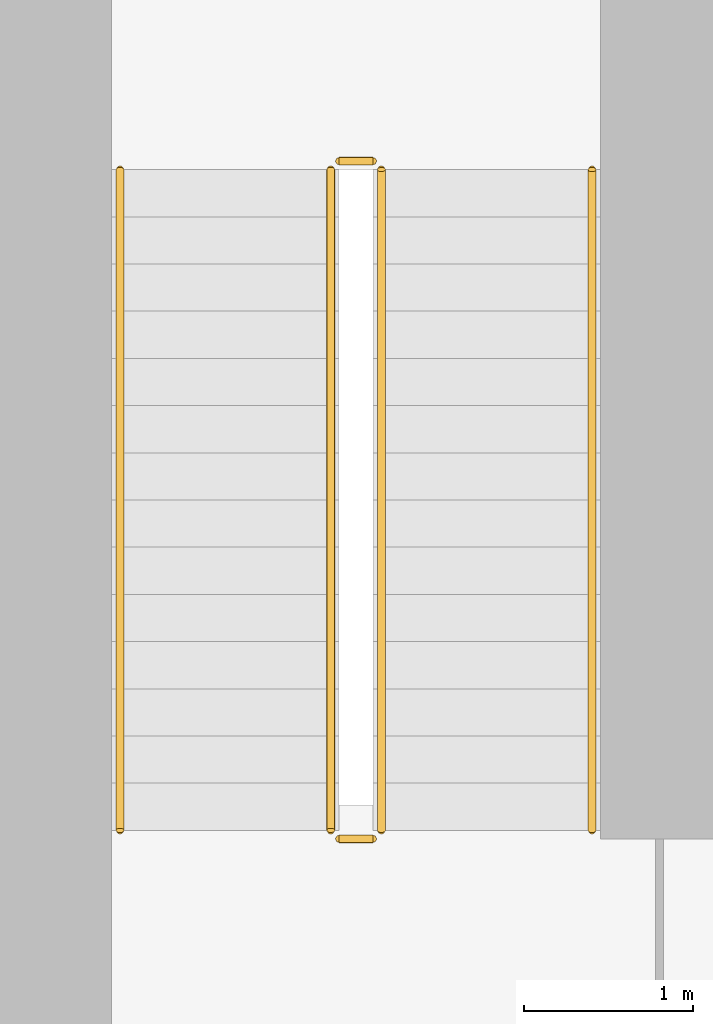
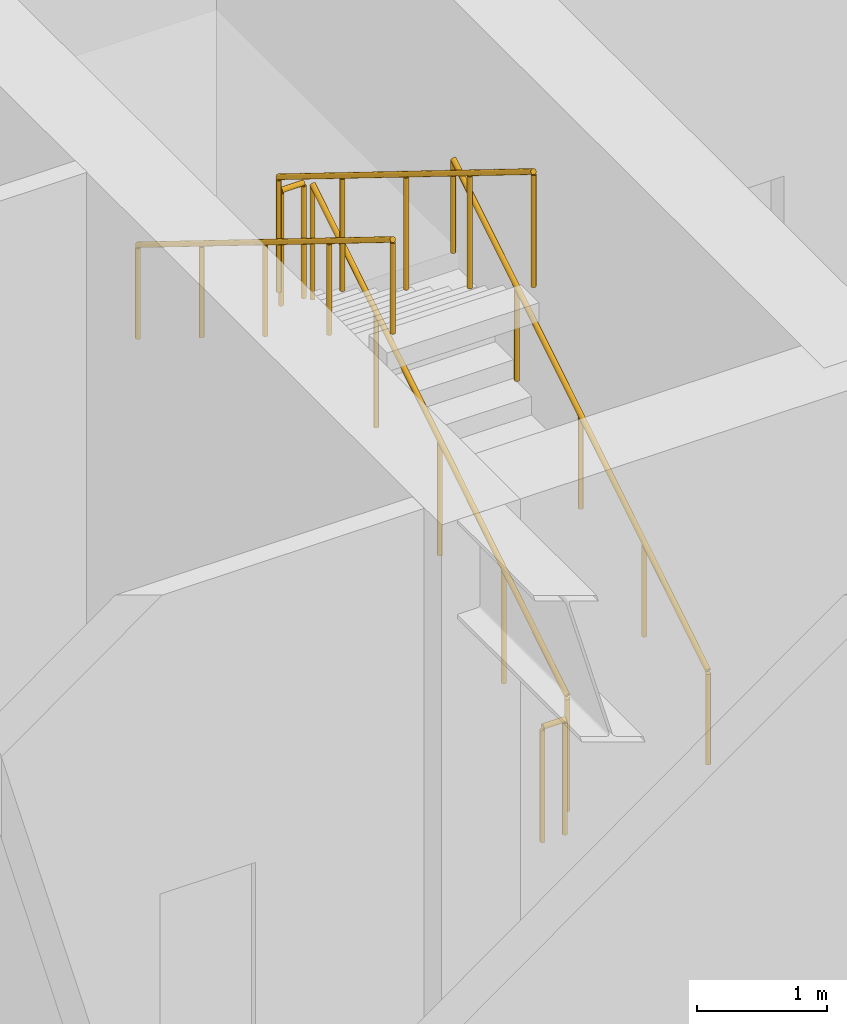
# One storey, part 10 of 12: 6 railings.
"""IFC4 building model written with IfcOpenShell, lengths in metres."""

import ifcopenshell
import ifcopenshell.guid

model = None  # the IFC model being written
_history = None  # IfcOwnerHistory: only IFC2X3 demands one
_inside = {}  # id of a spatial element -> (the spatial element, [elements in it])
_under = {}  # id of a project, library or spatial element -> (it, [spatial elements below it])
_declared = {}  # id of a project -> (the project, [libraries it declares])
_typed = {}  # id of a type object -> (the type object, [elements of that type])
_made_of = {}  # id of a material, layer set ... -> (it, [elements and type objects made of it])


def new_model(schema):
    """Start an empty IFC model of exactly this schema.

    Asked for "IFC4X3", IfcOpenShell would pick the latest addendum, in which some entities
    have other attributes; the version numbers below select the first issue.
    IFC2X3 requires an IfcOwnerHistory on every rooted entity: one is made here for all.
    """
    global model, _history
    if schema == "IFC4X3":
        model = ifcopenshell.file(schema_version=(4, 3, 0, 0))
    else:
        model = ifcopenshell.file(schema=schema)
    _inside.clear()
    _under.clear()
    _declared.clear()
    _typed.clear()
    _made_of.clear()
    _history = None
    if model.schema == "IFC2X3":
        org = make("IfcOrganization", Name="unknown")
        user = make(
            "IfcPersonAndOrganization",
            ThePerson=make("IfcPerson", FamilyName="unknown"),
            TheOrganization=org,
        )
        app = make(
            "IfcApplication",
            ApplicationDeveloper=org,
            Version="unknown",
            ApplicationFullName="unknown",
            ApplicationIdentifier="unknown",
        )
        _history = make(
            "IfcOwnerHistory",
            OwningUser=user,
            OwningApplication=app,
            ChangeAction="ADDED",
            CreationDate=0,
        )
    return model


def make(cls, **values):
    """One entity of the class cls with the attributes given. An attribute that is None is left unset."""
    return model.create_entity(
        cls, **{name: value for name, value in values.items() if value is not None}
    )


def rooted(cls, **values):
    """An entity with a GlobalId (a new one), such as an element, a storey or a relation."""
    return make(cls, GlobalId=ifcopenshell.guid.new(), OwnerHistory=_history, **values)


def si_unit(unit_type, name, prefix=None):
    """IfcSIUnit, for example si_unit("LENGTHUNIT", "METRE", prefix="MILLI")."""
    return make("IfcSIUnit", UnitType=unit_type, Prefix=prefix, Name=name)


def assignment(units):
    """IfcUnitAssignment: the units of a project."""
    return None if units is None else make("IfcUnitAssignment", Units=units)


def point(xyz):
    """IfcCartesianPoint."""
    return None if xyz is None else make("IfcCartesianPoint", Coordinates=xyz)


def direction(xyz):
    """IfcDirection."""
    return None if xyz is None else make("IfcDirection", DirectionRatios=xyz)


def frame(location, z_axis=None, x_axis=None):
    """IfcAxis2Placement3D, a coordinate frame: its origin and axes. An axis left out is left unset."""
    return make(
        "IfcAxis2Placement3D",
        Location=point(location),
        Axis=direction(z_axis),
        RefDirection=direction(x_axis),
    )


def frame_2d(location, x_axis=None):
    """IfcAxis2Placement2D, a coordinate frame in the plane: its origin and x axis."""
    return make(
        "IfcAxis2Placement2D", Location=point(location), RefDirection=direction(x_axis)
    )


def origin():
    """The frame at (0, 0, 0) with its axes left unset."""
    return frame((0.0, 0.0, 0.0))


def origin_2d():
    """The frame at (0, 0) in the plane with its x axis left unset."""
    return frame_2d((0.0, 0.0))


def place(relative_to, where):
    """IfcLocalPlacement: puts the frame where relative to a parent placement (None: the world)."""
    return make(
        "IfcLocalPlacement", PlacementRelTo=relative_to, RelativePlacement=where
    )


def context(
    kind, dimensions, precision=None, world=None, true_north=None, identifier=None
):
    """IfcGeometricRepresentationContext, for example the 3D "Model" context."""
    return make(
        "IfcGeometricRepresentationContext",
        ContextIdentifier=identifier,
        ContextType=kind,
        CoordinateSpaceDimension=dimensions,
        Precision=precision,
        WorldCoordinateSystem=world,
        TrueNorth=true_north,
    )


def subcontext(parent, identifier, kind, view, scale=None):
    """IfcGeometricRepresentationSubContext, for example "Body" below "Model"."""
    return make(
        "IfcGeometricRepresentationSubContext",
        ContextIdentifier=identifier,
        ContextType=kind,
        ParentContext=parent,
        TargetScale=scale,
        TargetView=view,
    )


def project(units=None, contexts=None):
    """IfcProject with its units and contexts."""
    return rooted(
        "IfcProject",
        Name="project",
        RepresentationContexts=contexts,
        UnitsInContext=assignment(units),
    )


def spatial(cls, under=None, at=None, **own):
    """A site, building, storey or space (cls), placed at a placement, below another one or the project."""
    s = rooted(cls, ObjectPlacement=at, **own)
    if under is not None:
        _under.setdefault(under.id(), (under, []))[1].append(s)
    return s


def profile(cls, at=None, kind="AREA", **sizes):
    """A parametric profile (cls). Its sizes go by their IFC names, for example OverallWidth=200.0."""
    return make(cls, ProfileType=kind, Position=at, **sizes)


def circle(**sizes):
    """IfcCircleProfileDef."""
    return profile("IfcCircleProfileDef", **sizes)


def extrude(swept, where, along, depth):
    """IfcExtrudedAreaSolid: the profile swept, set in the frame where, extruded along a direction by depth."""
    return make(
        "IfcExtrudedAreaSolid",
        SweptArea=swept,
        Position=where,
        ExtrudedDirection=direction(along),
        Depth=depth,
    )


def shape(context_of_items, identifier, shape_type, items):
    """IfcShapeRepresentation: the items that make up one representation, for example the "Body"."""
    return make(
        "IfcShapeRepresentation",
        ContextOfItems=context_of_items,
        RepresentationIdentifier=identifier,
        RepresentationType=shape_type,
        Items=items,
    )


def material(Name=None, Category=None):
    """IfcMaterial."""
    return make("IfcMaterial", Name=Name, Category=Category)


def made_of(thing, what):
    """Note that an element or type object is made of a material, layer set ...; save() writes the relation."""
    if what is not None:
        _made_of.setdefault(what.id(), (what, []))[1].append(thing)
    return thing


def type_object(cls, material=None, **own):
    """A type object (cls), such as IfcWallType, which elements share."""
    return made_of(rooted(cls, **own), material)


def element(
    cls,
    number,
    at=None,
    inside=None,
    cuts=None,
    type_object=None,
    material=None,
    context=None,
    identifier="Body",
    shape_type=None,
    held_by="IfcProductDefinitionShape",
    body=None,
    shapes=None,
    **own,
):
    """One element of the class cls, such as IfcWall. Its Tag is "e" and its number.

    at: its placement. inside: the storey or other place that contains it. cuts: it is an
    opening in that element (IfcRelVoidsElement). A single representation is given by context,
    identifier, shape_type and body (its items); several are given by shapes. held_by: the class
    of the entity that holds the representations. save() writes the other relations.
    """
    e = rooted(cls, Tag="e%d" % number, ObjectPlacement=at, **own)
    if body is not None:
        shapes = [shape(context, identifier, shape_type, body)]
    if shapes is not None:
        e.Representation = make(held_by, Representations=shapes)
    if inside is not None:
        _inside.setdefault(inside.id(), (inside, []))[1].append(e)
    if cuts is not None:
        rooted(
            "IfcRelVoidsElement", RelatingBuildingElement=cuts, RelatedOpeningElement=e
        )
    if type_object is not None:
        _typed.setdefault(type_object.id(), (type_object, []))[1].append(e)
    return made_of(e, material)


def aggregate(whole, parts):
    """IfcRelAggregates: a whole, such as a stair, and the parts it consists of."""
    return rooted("IfcRelAggregates", RelatingObject=whole, RelatedObjects=parts)


def save(model, path):
    """Write the relations noted so far, then the file.

    IfcRelAggregates (storeys below a building ...), IfcRelContainedInSpatialStructure (elements
    in a storey), IfcRelDefinesByType, IfcRelAssociatesMaterial and IfcRelDeclares: one each for
    every whole, place, type object, material and project.
    """
    for whole, parts in _under.values():
        aggregate(whole, parts)
    for where, things in _inside.values():
        rooted(
            "IfcRelContainedInSpatialStructure",
            RelatedElements=things,
            RelatingStructure=where,
        )
    for kind, things in _typed.values():
        rooted("IfcRelDefinesByType", RelatedObjects=things, RelatingType=kind)
    for what, things in _made_of.values():
        rooted("IfcRelAssociatesMaterial", RelatedObjects=things, RelatingMaterial=what)
    for by, libraries in _declared.values():
        rooted("IfcRelDeclares", RelatingContext=by, RelatedDefinitions=libraries)
    model.write(path)


model = new_model("IFC4")

# Units and contexts
model_context = context("Model", 3, precision=1e-05, world=origin(), true_north=direction((0.0, 1.0)))
body_context = subcontext(model_context, "Body", "Model", "MODEL_VIEW")
ifc_project = project(units=[si_unit("LENGTHUNIT", "METRE"), si_unit("AREAUNIT", "SQUARE_METRE"), si_unit("VOLUMEUNIT", "CUBIC_METRE"), si_unit("PLANEANGLEUNIT", "RADIAN"), si_unit("MASSUNIT", "GRAM", prefix="KILO")], contexts=[model_context])

# Site, building, storey
site_placement = place(None, origin())
site = spatial("IfcSite", under=ifc_project, at=site_placement, CompositionType="ELEMENT")
building_placement = place(site_placement, origin())
building = spatial("IfcBuilding", under=site, at=building_placement, Name="Caelmar Bay Residences", CompositionType="ELEMENT")
storey_placement = place(building_placement, frame((0.0, 0.0, 274.199951171875)))
storey = spatial("IfcBuildingStorey", under=building, at=storey_placement, Name="L77", CompositionType="ELEMENT", Elevation=274.199951171875)

# Railings
ifc_material_1 = material(Name="Painted galvanized steel stair guard 1100 mm", Category="steel")
railing_type_1 = type_object("IfcRailingType", Name="RL-GRD-1100", PredefinedType="GUARDRAIL", material=ifc_material_1)
railing_1_placement = place(storey_placement, frame((20.25, 38.699951171875, 0.17333984375)))
element("IfcRailing", 1, at=railing_1_placement, inside=storey, type_object=railing_type_1, Name="L77 ST1 stair guard 1", PredefinedType="GUARDRAIL", context=body_context, shape_type="SweptSolid", body=[
    extrude(circle(Radius=0.02392578125, at=origin_2d()), frame((0.0, 0.0, 1.076171875), z_axis=(0.0, 0.850266275192, 0.526352791643), x_axis=(-1.0, 0.0, 0.0)), (0.0, 0.0, 1.0), 4.610595703125),
    extrude(circle(Radius=0.02099609375, at=origin_2d()), origin(), (0.0, 0.0, 1.0), 1.052001953125),
    extrude(circle(Radius=0.02099609375, at=origin_2d()), frame((0.0, 0.97998046875, 0.606689453125)), (0.0, 0.0, 1.0), 1.052001953125),
    extrude(circle(Radius=0.02099609375, at=origin_2d()), frame((0.0, 1.9599609375, 1.21337890625)), (0.0, 0.0, 1.0), 1.052001953125),
    extrude(circle(Radius=0.02099609375, at=origin_2d()), frame((0.0, 2.940185546875, 1.820068359375)), (0.0, 0.0, 1.0), 1.052001953125),
    extrude(circle(Radius=0.02099609375, at=origin_2d()), frame((0.0, 3.920166015625, 2.4267578125)), (0.0, 0.0, 1.0), 1.052001953125),
])
railing_2_placement = place(storey_placement, frame((20.199951171875, 42.669921875, 2.60009765625)))
element("IfcRailing", 2, at=railing_2_placement, inside=storey, type_object=railing_type_1, Name="L77 ST1 stair guard 2", PredefinedType="GUARDRAIL", context=body_context, shape_type="SweptSolid", body=[
    extrude(circle(Radius=0.02392578125, at=origin_2d()), frame((0.0, 0.0, 1.076171875), z_axis=(-1.0, 0.0, 0.0), x_axis=(0.0, -1.0, 0.0)), (0.0, 0.0, 1.0), 0.199951171875),
    extrude(circle(Radius=0.02099609375, at=origin_2d()), origin(), (0.0, 0.0, 1.0), 1.052001953125),
    extrude(circle(Radius=0.02099609375, at=origin_2d()), frame((-0.199951171875, 0.0, 0.0)), (0.0, 0.0, 1.0), 1.052001953125),
])
railing_3_placement = place(storey_placement, frame((19.949951171875, 42.6201171875, 2.7734375)))
element("IfcRailing", 3, at=railing_3_placement, inside=storey, type_object=railing_type_1, Name="L77 ST1 stair guard 3", PredefinedType="GUARDRAIL", context=body_context, shape_type="SweptSolid", body=[
    extrude(circle(Radius=0.02392578125, at=origin_2d()), frame((0.0, 0.0, 1.076171875), z_axis=(0.0, -0.850289973577, 0.526314507528), x_axis=(1.0, 0.0, 0.0)), (0.0, 0.0, 1.0), 4.6103515625),
    extrude(circle(Radius=0.02099609375, at=origin_2d()), origin(), (0.0, 0.0, 1.0), 1.052001953125),
    extrude(circle(Radius=0.02099609375, at=origin_2d()), frame((0.0, -0.97998046875, 0.606689453125)), (0.0, 0.0, 1.0), 1.052001953125),
    extrude(circle(Radius=0.02099609375, at=origin_2d()), frame((0.0, -1.9599609375, 1.21337890625)), (0.0, 0.0, 1.0), 1.052001953125),
    extrude(circle(Radius=0.02099609375, at=origin_2d()), frame((0.0, -2.940185546875, 1.81982421875)), (0.0, 0.0, 1.0), 1.052001953125),
    extrude(circle(Radius=0.02099609375, at=origin_2d()), frame((0.0, -3.920166015625, 2.426513671875)), (0.0, 0.0, 1.0), 1.052001953125),
])
railing_4_placement = place(storey_placement, frame((20.199951171875, 38.64990234375, 0.0)))
element("IfcRailing", 4, at=railing_4_placement, inside=storey, type_object=railing_type_1, Name="L77 ST1 stair guard 4", PredefinedType="GUARDRAIL", context=body_context, shape_type="SweptSolid", body=[
    extrude(circle(Radius=0.02392578125, at=origin_2d()), frame((0.0, 0.0, 1.076171875), z_axis=(-1.0, 0.0, 0.0), x_axis=(0.0, -1.0, 0.0)), (0.0, 0.0, 1.0), 0.199951171875),
    extrude(circle(Radius=0.02099609375, at=origin_2d()), origin(), (0.0, 0.0, 1.0), 1.052001953125),
    extrude(circle(Radius=0.02099609375, at=origin_2d()), frame((-0.199951171875, 0.0, 0.0)), (0.0, 0.0, 1.0), 1.052001953125),
])
ifc_material_2 = material(Name="Brushed bronze stainless-steel tubular handrail 900 mm", Category="steel")
railing_type_2 = type_object("IfcRailingType", Name="RL-HND-900", PredefinedType="HANDRAIL", material=ifc_material_2)
railing_5_placement = place(storey_placement, frame((21.5, 38.699951171875, 0.17333984375)))
element("IfcRailing", 5, at=railing_5_placement, inside=storey, type_object=railing_type_2, Name="L77 ST1 stair handrail 1", PredefinedType="HANDRAIL", context=body_context, shape_type="SweptSolid", body=[
    extrude(circle(Radius=0.02392578125, at=origin_2d()), frame((0.0, 0.0, 0.8759765625), z_axis=(0.0, 0.850266275192, 0.526352791643), x_axis=(-1.0, 0.0, 0.0)), (0.0, 0.0, 1.0), 4.610595703125),
    extrude(circle(Radius=0.02099609375, at=origin_2d()), origin(), (0.0, 0.0, 1.0), 0.851806640625),
    extrude(circle(Radius=0.02099609375, at=origin_2d()), frame((0.0, 0.97998046875, 0.606689453125)), (0.0, 0.0, 1.0), 0.851806640625),
    extrude(circle(Radius=0.02099609375, at=origin_2d()), frame((0.0, 1.9599609375, 1.21337890625)), (0.0, 0.0, 1.0), 0.851806640625),
    extrude(circle(Radius=0.02099609375, at=origin_2d()), frame((0.0, 2.940185546875, 1.820068359375)), (0.0, 0.0, 1.0), 0.851806640625),
    extrude(circle(Radius=0.02099609375, at=origin_2d()), frame((0.0, 3.920166015625, 2.4267578125)), (0.0, 0.0, 1.0), 0.851806640625),
])
railing_6_placement = place(storey_placement, frame((18.699951171875, 42.6201171875, 2.7734375)))
element("IfcRailing", 6, at=railing_6_placement, inside=storey, type_object=railing_type_2, Name="L77 ST1 stair handrail 2", PredefinedType="HANDRAIL", context=body_context, shape_type="SweptSolid", body=[
    extrude(circle(Radius=0.02392578125, at=origin_2d()), frame((0.0, 0.0, 0.8759765625), z_axis=(0.0, -0.850289973577, 0.526314507528), x_axis=(1.0, 0.0, 0.0)), (0.0, 0.0, 1.0), 4.6103515625),
    extrude(circle(Radius=0.02099609375, at=origin_2d()), origin(), (0.0, 0.0, 1.0), 0.851806640625),
    extrude(circle(Radius=0.02099609375, at=origin_2d()), frame((0.0, -0.97998046875, 0.606689453125)), (0.0, 0.0, 1.0), 0.851806640625),
    extrude(circle(Radius=0.02099609375, at=origin_2d()), frame((0.0, -1.9599609375, 1.21337890625)), (0.0, 0.0, 1.0), 0.851806640625),
    extrude(circle(Radius=0.02099609375, at=origin_2d()), frame((0.0, -2.940185546875, 1.81982421875)), (0.0, 0.0, 1.0), 0.851806640625),
    extrude(circle(Radius=0.02099609375, at=origin_2d()), frame((0.0, -3.920166015625, 2.426513671875)), (0.0, 0.0, 1.0), 0.851806640625),
])

save(model, "model.ifc")
